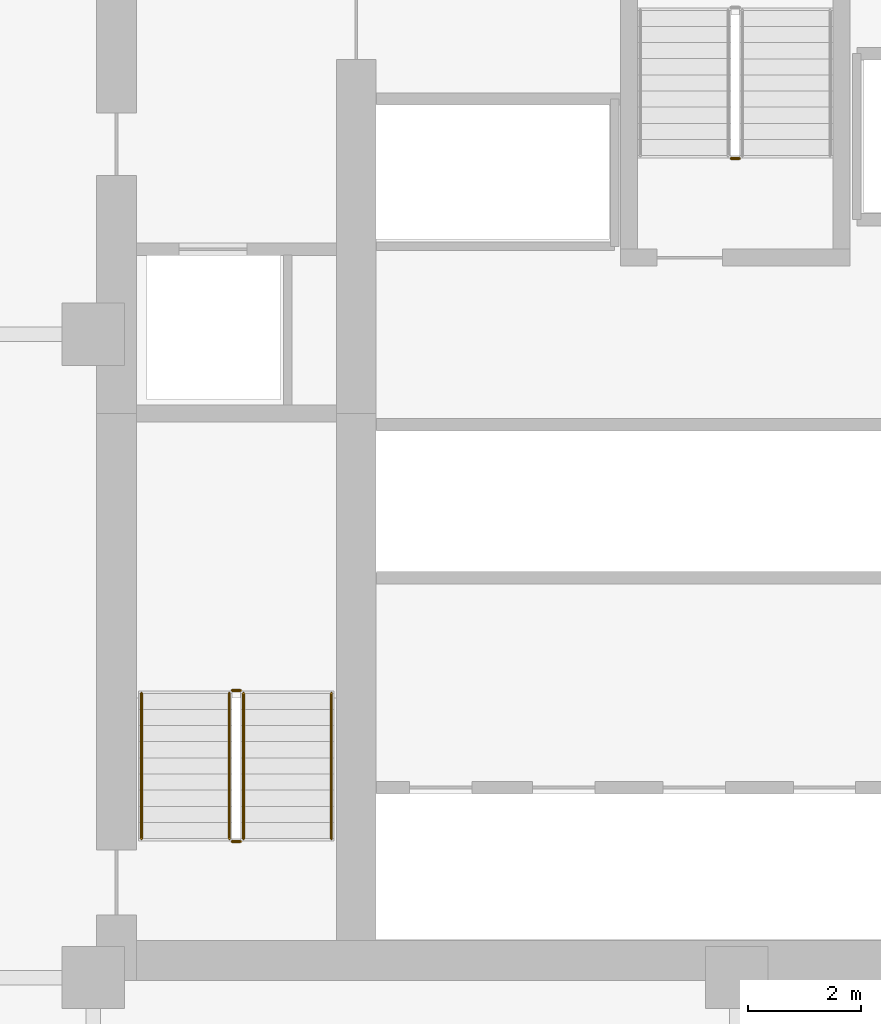
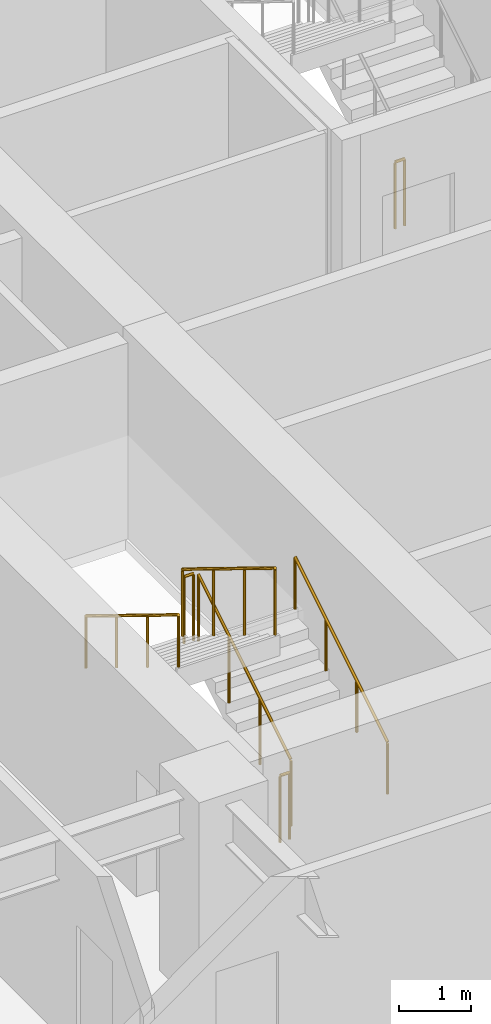
# One storey, part 8 of 10: 7 railings.
"""IFC4 building model written with IfcOpenShell, lengths in metres."""

from ifc_helpers import new_model, si_unit, direction, frame, origin, origin_2d, place, context, subcontext, project, spatial, circle, extrude, material, type_object, element, save


model = new_model("IFC4")

# Units and contexts
model_context = context("Model", 3, precision=1e-05, world=origin(), true_north=direction((0.0, 1.0)))
body_context = subcontext(model_context, "Body", "Model", "MODEL_VIEW")
ifc_project = project(units=[si_unit("LENGTHUNIT", "METRE"), si_unit("AREAUNIT", "SQUARE_METRE"), si_unit("VOLUMEUNIT", "CUBIC_METRE"), si_unit("PLANEANGLEUNIT", "RADIAN"), si_unit("MASSUNIT", "GRAM", prefix="KILO")], contexts=[model_context])

# Site, building, storey
site_placement = place(None, origin())
site = spatial("IfcSite", under=ifc_project, at=site_placement, CompositionType="ELEMENT")
building_placement = place(site_placement, origin())
building = spatial("IfcBuilding", under=site, at=building_placement, Name="Nhamokura Convention Tower", CompositionType="ELEMENT")
storey_placement = place(building_placement, frame((0.0, 0.0, 89.25)))
storey = spatial("IfcBuildingStorey", under=building, at=storey_placement, Name="L21", CompositionType="ELEMENT", Elevation=89.25)

# Railings
ifc_material_1 = material(Name="Anodised bronze stainless steel", Category="steel")
railing_type_1 = type_object("IfcRailingType", Name="StairWallHandrail_900", PredefinedType="HANDRAIL", material=ifc_material_1)
railing_1_placement = place(storey_placement, frame((24.85009765625, 23.10009765625, 0.175048828125)))
element("IfcRailing", 1, at=railing_1_placement, inside=storey, type_object=railing_type_1, Name="L21 ST-01 stair handrail 1", PredefinedType="HANDRAIL", context=body_context, shape_type="SweptSolid", body=[
    extrude(circle(Radius=0.02392578125, at=origin_2d()), frame((0.0, 0.0, 0.8759765625), z_axis=(0.0, 0.852173129349, 0.523259933127), x_axis=(-1.0, 0.0, 0.0)), (0.0, 0.0, 1.0), 3.009765625),
    extrude(circle(Radius=0.02099609375, at=origin_2d()), origin(), (0.0, 0.0, 1.0), 0.851806640625),
    extrude(circle(Radius=0.02099609375, at=origin_2d()), frame((0.0, 0.85498046875, 0.52490234375)), (0.0, 0.0, 1.0), 0.851806640625),
    extrude(circle(Radius=0.02099609375, at=origin_2d()), frame((0.0, 1.7099609375, 1.050048828125)), (0.0, 0.0, 1.0), 0.851806640625),
    extrude(circle(Radius=0.02099609375, at=origin_2d()), frame((0.0, 2.56494140625, 1.574951171875)), (0.0, 0.0, 1.0), 0.851806640625),
])
railing_2_placement = place(storey_placement, frame((21.5, 25.6650390625, 1.925048828125)))
element("IfcRailing", 2, at=railing_2_placement, inside=storey, type_object=railing_type_1, Name="L21 ST-01 stair handrail 2", PredefinedType="HANDRAIL", context=body_context, shape_type="SweptSolid", body=[
    extrude(circle(Radius=0.02392578125, at=origin_2d()), frame((0.0, 0.0, 0.8759765625), z_axis=(0.0, -0.852173129349, 0.523259933127), x_axis=(1.0, 0.0, 0.0)), (0.0, 0.0, 1.0), 3.009765625),
    extrude(circle(Radius=0.02099609375, at=origin_2d()), origin(), (0.0, 0.0, 1.0), 0.851806640625),
    extrude(circle(Radius=0.02099609375, at=origin_2d()), frame((0.0, -0.85498046875, 0.52490234375)), (0.0, 0.0, 1.0), 0.851806640625),
    extrude(circle(Radius=0.02099609375, at=origin_2d()), frame((0.0, -1.7099609375, 1.050048828125)), (0.0, 0.0, 1.0), 0.851806640625),
    extrude(circle(Radius=0.02099609375, at=origin_2d()), frame((0.0, -2.56494140625, 1.574951171875)), (0.0, 0.0, 1.0), 0.851806640625),
])
ifc_material_2 = material(Name="Painted tubular steel", Category="steel")
railing_type_2 = type_object("IfcRailingType", Name="StairWellGuardrail_1150", PredefinedType="GUARDRAIL", material=ifc_material_2)
railing_3_placement = place(storey_placement, frame((23.300048828125, 23.10009765625, 0.175048828125)))
element("IfcRailing", 3, at=railing_3_placement, inside=storey, type_object=railing_type_2, Name="L21 ST-01 stair guard 1", PredefinedType="GUARDRAIL", context=body_context, shape_type="SweptSolid", body=[
    extrude(circle(Radius=0.02392578125, at=origin_2d()), frame((0.0, 0.0, 1.1259765625), z_axis=(0.0, 0.852173129349, 0.523259933127), x_axis=(-1.0, 0.0, 0.0)), (0.0, 0.0, 1.0), 3.009765625),
    extrude(circle(Radius=0.02099609375, at=origin_2d()), origin(), (0.0, 0.0, 1.0), 1.101806640625),
    extrude(circle(Radius=0.02099609375, at=origin_2d()), frame((0.0, 0.85498046875, 0.52490234375)), (0.0, 0.0, 1.0), 1.101806640625),
    extrude(circle(Radius=0.02099609375, at=origin_2d()), frame((0.0, 1.7099609375, 1.050048828125)), (0.0, 0.0, 1.0), 1.101806640625),
    extrude(circle(Radius=0.02099609375, at=origin_2d()), frame((0.0, 2.56494140625, 1.574951171875)), (0.0, 0.0, 1.0), 1.101806640625),
])
railing_4_placement = place(storey_placement, frame((23.25, 25.715087890625, 1.75)))
element("IfcRailing", 4, at=railing_4_placement, inside=storey, type_object=railing_type_2, Name="L21 ST-01 stair guard 2", PredefinedType="GUARDRAIL", context=body_context, shape_type="SweptSolid", body=[
    extrude(circle(Radius=0.02392578125, at=origin_2d()), frame((0.0, 0.0, 1.1259765625), z_axis=(-1.0, 0.0, 0.0), x_axis=(0.0, -1.0, 0.0)), (0.0, 0.0, 1.0), 0.14990234375),
    extrude(circle(Radius=0.02099609375, at=origin_2d()), origin(), (0.0, 0.0, 1.0), 1.101806640625),
    extrude(circle(Radius=0.02099609375, at=origin_2d()), frame((-0.14990234375, 0.0, 0.0)), (0.0, 0.0, 1.0), 1.101806640625),
])
railing_5_placement = place(storey_placement, frame((23.050048828125, 25.6650390625, 1.925048828125)))
element("IfcRailing", 5, at=railing_5_placement, inside=storey, type_object=railing_type_2, Name="L21 ST-01 stair guard 3", PredefinedType="GUARDRAIL", context=body_context, shape_type="SweptSolid", body=[
    extrude(circle(Radius=0.02392578125, at=origin_2d()), frame((0.0, 0.0, 1.1259765625), z_axis=(0.0, -0.852173129349, 0.523259933127), x_axis=(1.0, 0.0, 0.0)), (0.0, 0.0, 1.0), 3.009765625),
    extrude(circle(Radius=0.02099609375, at=origin_2d()), origin(), (0.0, 0.0, 1.0), 1.101806640625),
    extrude(circle(Radius=0.02099609375, at=origin_2d()), frame((0.0, -0.85498046875, 0.52490234375)), (0.0, 0.0, 1.0), 1.101806640625),
    extrude(circle(Radius=0.02099609375, at=origin_2d()), frame((0.0, -1.7099609375, 1.050048828125)), (0.0, 0.0, 1.0), 1.101806640625),
    extrude(circle(Radius=0.02099609375, at=origin_2d()), frame((0.0, -2.56494140625, 1.574951171875)), (0.0, 0.0, 1.0), 1.101806640625),
])
railing_6_placement = place(storey_placement, frame((23.25, 23.050048828125, 0.0)))
element("IfcRailing", 6, at=railing_6_placement, inside=storey, type_object=railing_type_2, Name="L21 ST-01 stair guard 4", PredefinedType="GUARDRAIL", context=body_context, shape_type="SweptSolid", body=[
    extrude(circle(Radius=0.02392578125, at=origin_2d()), frame((0.0, 0.0, 1.1259765625), z_axis=(-1.0, 0.0, 0.0), x_axis=(0.0, -1.0, 0.0)), (0.0, 0.0, 1.0), 0.14990234375),
    extrude(circle(Radius=0.02099609375, at=origin_2d()), origin(), (0.0, 0.0, 1.0), 1.101806640625),
    extrude(circle(Radius=0.02099609375, at=origin_2d()), frame((-0.14990234375, 0.0, 0.0)), (0.0, 0.0, 1.0), 1.101806640625),
])
railing_7_placement = place(storey_placement, frame((32.050048828125, 35.10009765625, 0.0)))
element("IfcRailing", 7, at=railing_7_placement, inside=storey, type_object=railing_type_2, Name="L21 ST-03 stair guard 4", PredefinedType="GUARDRAIL", context=body_context, shape_type="SweptSolid", body=[
    extrude(circle(Radius=0.02392578125, at=origin_2d()), frame((0.0, 0.0, 1.1259765625), z_axis=(-1.0, 0.0, 0.0), x_axis=(0.0, -1.0, 0.0)), (0.0, 0.0, 1.0), 0.150146484375),
    extrude(circle(Radius=0.02099609375, at=origin_2d()), origin(), (0.0, 0.0, 1.0), 1.101806640625),
    extrude(circle(Radius=0.02099609375, at=origin_2d()), frame((-0.150146484375, 0.0, 0.0)), (0.0, 0.0, 1.0), 1.101806640625),
])

save(model, "model.ifc")
